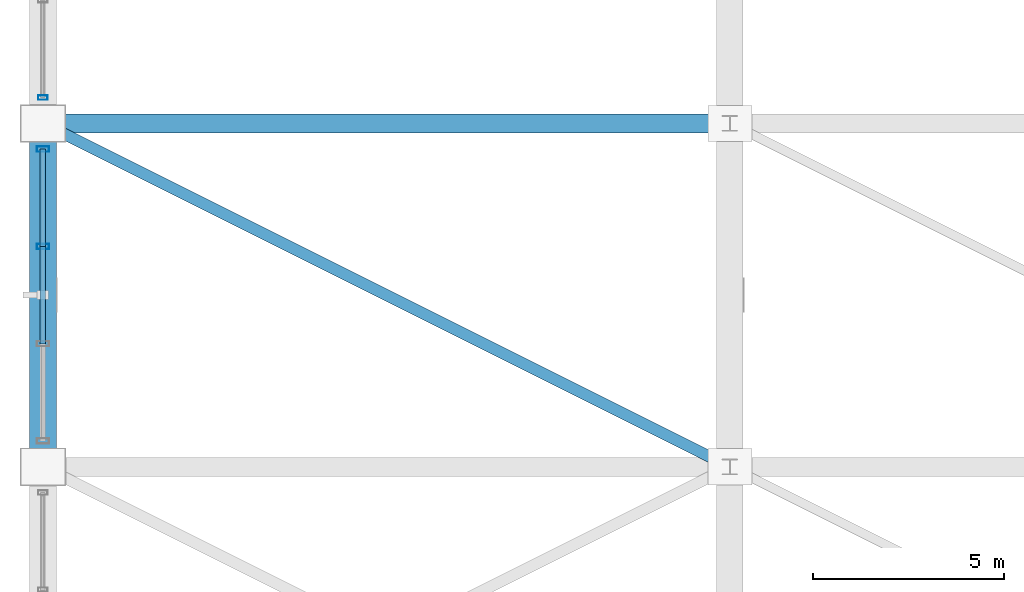
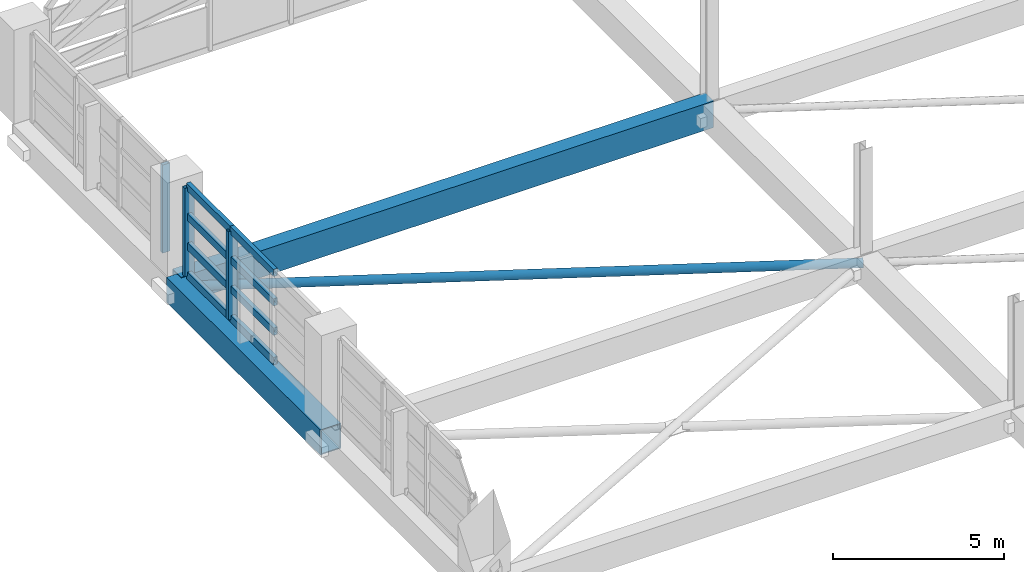
# One storey, part 41 of 116: 12 members, 2 beams, 2 elements without a shape of their own.
"""IFC4 building model written with IfcOpenShell, lengths in metres."""

from ifc_helpers import new_model, si_unit, direction, frame, origin, origin_2d, place, context, subcontext, project, spatial, hollow_rectangle, hollow_circle, extrude, material, material_profile, profile_set, type_object, element, aggregate, save


model = new_model("IFC4")

# Units and contexts
model_context = context("Model", 3, precision=1e-05, world=origin(), true_north=direction((0.0, 1.0)))
body_context = subcontext(model_context, "Body", "Model", "MODEL_VIEW")
ifc_project = project(units=[si_unit("LENGTHUNIT", "METRE"), si_unit("AREAUNIT", "SQUARE_METRE"), si_unit("VOLUMEUNIT", "CUBIC_METRE"), si_unit("PLANEANGLEUNIT", "RADIAN"), si_unit("MASSUNIT", "GRAM", prefix="KILO")], contexts=[model_context])

# Site, building, storey
site_placement = place(None, origin())
site = spatial("IfcSite", under=ifc_project, at=site_placement, CompositionType="ELEMENT")
building_placement = place(site_placement, origin())
building = spatial("IfcBuilding", under=site, at=building_placement, Name="Chuanluo Vaults Station", CompositionType="ELEMENT")
storey_placement = place(building_placement, frame((0.0, 0.0, 10.800048828125)))
storey = spatial("IfcBuildingStorey", under=building, at=storey_placement, Name="L02", CompositionType="ELEMENT", Elevation=10.800048828125)

# Beams
ifc_material_1 = material(Name="Steel Q390C", Category="steel")
ifc_material_profile_1 = material_profile(ifc_material_1, hollow_rectangle(XDim=0.5, YDim=0.949951171875, WallThickness=0.028076171875, at=origin_2d()))
ifc_profile_set_1 = profile_set([ifc_material_profile_1], Name="Steel Q390C")
beam_type_1 = type_object("IfcBeamType", Name="BM-TT-TIE", PredefinedType="USERDEFINED", material=ifc_profile_set_1)
beam_1_placement = place(storey_placement, frame((0.0, 94.5, -0.85009765625), z_axis=(1.0, 0.0, 0.0), x_axis=(0.0, 1.0, 0.0)))
element("IfcBeam", 1, at=beam_1_placement, inside=storey, type_object=beam_type_1, Name="Transfer truss top tie girder 1-94", ObjectType="GIRDER", PredefinedType="USERDEFINED", context=body_context, shape_type="SweptSolid", body=[
    extrude(hollow_rectangle(XDim=0.5, YDim=0.949951171875, WallThickness=0.028076171875, at=origin_2d()), origin(), (0.0, 0.0, 1.0), 18.0),
])
ifc_material_2 = material(Name="Steel Q390C", Category="steel")
ifc_material_profile_2 = material_profile(ifc_material_2, hollow_rectangle(XDim=0.699951171875, YDim=0.89990234375, WallThickness=0.035888671875, at=origin_2d()))
ifc_profile_set_2 = profile_set([ifc_material_profile_2], Name="Steel Q390C")
beam_type_2 = type_object("IfcBeamType", Name="BM-TT-TOP", PredefinedType="USERDEFINED", material=ifc_profile_set_2)
beam_2_placement = place(storey_placement, frame((0.0, 85.5, -0.85009765625), z_axis=(0.0, 1.0, 0.0), x_axis=(-1.0, 0.0, 0.0)))
element("IfcBeam", 2, at=beam_2_placement, inside=storey, type_object=beam_type_2, Name="Transfer truss TT-1 top chord 3", ObjectType="GIRDER", PredefinedType="USERDEFINED", context=body_context, shape_type="SweptSolid", body=[
    extrude(hollow_rectangle(XDim=0.699951171875, YDim=0.89990234375, WallThickness=0.035888671875, at=origin_2d()), origin(), (0.0, 0.0, 1.0), 9.0),
])

# Curtain wall, member
ifc_material_3 = material(Name="Anodised aluminium 6063-T6", Category="aluminium")
curtain_wall_type_1 = type_object("IfcCurtainWallType", Name="CW-SYS-19", PredefinedType="NOTDEFINED", material=ifc_material_3)
curtain_wall_1_placement = place(storey_placement, origin())
curtain_wall_1 = element("IfcCurtainWall", 3, at=curtain_wall_1_placement, inside=storey, type_object=curtain_wall_type_1, Name="Train shed west clerestory CW 94", PredefinedType="NOTDEFINED")
ifc_material_4 = material(Name="Anodised aluminium 6063-T6", Category="aluminium")
ifc_material_profile_3 = material_profile(ifc_material_4, hollow_rectangle(XDim=0.1201171875, YDim=0.25, WallThickness=0.006103515625, at=origin_2d()))
ifc_profile_set_3 = profile_set([ifc_material_profile_3], Name="Anodised aluminium 6063-T6")
member_type_1 = type_object("IfcMemberType", Name="CWM-160", PredefinedType="MULLION", material=ifc_profile_set_3)
member_1_placement = place(storey_placement, frame((0.0, 95.175048828125, 0.0), z_axis=(0.0, 0.0, 1.0), x_axis=(0.0, 1.0, 0.0)))
member_1 = element("IfcMember", 4, at=member_1_placement, type_object=member_type_1, Name="Train shed west clerestory CW 94 mullion 1", PredefinedType="MULLION", context=body_context, shape_type="SweptSolid", body=[
    extrude(hollow_rectangle(XDim=0.1201171875, YDim=0.25, WallThickness=0.006103515625, at=origin_2d()), origin(), (0.0, 0.0, 1.0), 3.14990234375),
])
aggregate(curtain_wall_1, [member_1])

# Curtain wall, members
ifc_material_5 = material(Name="Anodised aluminium 6063-T6", Category="aluminium")
curtain_wall_type_2 = type_object("IfcCurtainWallType", Name="CW-SYS-17", PredefinedType="NOTDEFINED", material=ifc_material_5)
curtain_wall_2_placement = place(storey_placement, origin())
curtain_wall_2 = element("IfcCurtainWall", 5, at=curtain_wall_2_placement, inside=storey, type_object=curtain_wall_type_2, Name="Train shed west clerestory CW 85", PredefinedType="NOTDEFINED")
ifc_material_6 = material(Name="Anodised aluminium 6063-T6", Category="aluminium")
ifc_material_profile_4 = material_profile(ifc_material_6, hollow_rectangle(XDim=0.139892578125, YDim=0.320068359375, WallThickness=0.008056640625, at=origin_2d()))
ifc_profile_set_4 = profile_set([ifc_material_profile_4], Name="Anodised aluminium 6063-T6")
member_type_2 = type_object("IfcMemberType", Name="CWM-220", PredefinedType="MULLION", material=ifc_profile_set_4)
member_2_placement = place(storey_placement, frame((0.0, 91.27490234375, 0.0), z_axis=(0.0, 0.0, 1.0), x_axis=(0.0, 1.0, 0.0)))
member_2 = element("IfcMember", 6, at=member_2_placement, type_object=member_type_2, Name="Train shed west clerestory CW 85 mullion 3", PredefinedType="MULLION", context=body_context, shape_type="SweptSolid", body=[
    extrude(hollow_rectangle(XDim=0.139892578125, YDim=0.320068359375, WallThickness=0.008056640625, at=origin_2d()), origin(), (0.0, 0.0, 1.0), 3.14990234375),
])
member_3_placement = place(storey_placement, frame((0.0, 93.824951171875, 0.0), z_axis=(0.0, 0.0, 1.0), x_axis=(0.0, 1.0, 0.0)))
member_3 = element("IfcMember", 7, at=member_3_placement, type_object=member_type_2, Name="Train shed west clerestory CW 85 mullion 4", PredefinedType="MULLION", context=body_context, shape_type="SweptSolid", body=[
    extrude(hollow_rectangle(XDim=0.139892578125, YDim=0.320068359375, WallThickness=0.008056640625, at=origin_2d()), origin(), (0.0, 0.0, 1.0), 3.14990234375),
])
ifc_material_7 = material(Name="Anodised aluminium 6063-T6", Category="aluminium")
ifc_material_profile_5 = material_profile(ifc_material_7, hollow_rectangle(XDim=0.139892578125, YDim=0.260009765625, WallThickness=0.007080078125, at=origin_2d()))
ifc_profile_set_5 = profile_set([ifc_material_profile_5], Name="Anodised aluminium 6063-T6")
member_type_3 = type_object("IfcMemberType", Name="CWT-180", PredefinedType="USERDEFINED", material=ifc_profile_set_5)
member_4_placement = place(storey_placement, frame((0.0, 88.72509765625, 0.0), z_axis=(0.0, 1.0, 0.0), x_axis=(-1.0, 0.0, 0.0)))
member_4 = element("IfcMember", 8, at=member_4_placement, type_object=member_type_3, Name="Train shed west clerestory CW 85 transom 2.1", ObjectType="TRANSOM", PredefinedType="USERDEFINED", context=body_context, shape_type="SweptSolid", body=[
    extrude(hollow_rectangle(XDim=0.139892578125, YDim=0.260009765625, WallThickness=0.007080078125, at=origin_2d()), origin(), (0.0, 0.0, 1.0), 2.5498046875),
])
member_5_placement = place(storey_placement, frame((0.0, 88.72509765625, 1.050048828125), z_axis=(0.0, 1.0, 0.0), x_axis=(-1.0, 0.0, 0.0)))
member_5 = element("IfcMember", 9, at=member_5_placement, type_object=member_type_3, Name="Train shed west clerestory CW 85 transom 2.2", ObjectType="TRANSOM", PredefinedType="USERDEFINED", context=body_context, shape_type="SweptSolid", body=[
    extrude(hollow_rectangle(XDim=0.139892578125, YDim=0.260009765625, WallThickness=0.007080078125, at=origin_2d()), origin(), (0.0, 0.0, 1.0), 2.5498046875),
])
member_6_placement = place(storey_placement, frame((0.0, 88.72509765625, 2.099853515625), z_axis=(0.0, 1.0, 0.0), x_axis=(-1.0, 0.0, 0.0)))
member_6 = element("IfcMember", 10, at=member_6_placement, type_object=member_type_3, Name="Train shed west clerestory CW 85 transom 2.3", ObjectType="TRANSOM", PredefinedType="USERDEFINED", context=body_context, shape_type="SweptSolid", body=[
    extrude(hollow_rectangle(XDim=0.139892578125, YDim=0.260009765625, WallThickness=0.007080078125, at=origin_2d()), origin(), (0.0, 0.0, 1.0), 2.5498046875),
])
member_7_placement = place(storey_placement, frame((0.0, 88.72509765625, 3.14990234375), z_axis=(0.0, 1.0, 0.0), x_axis=(-1.0, 0.0, 0.0)))
member_7 = element("IfcMember", 11, at=member_7_placement, type_object=member_type_3, Name="Train shed west clerestory CW 85 transom 2.4", ObjectType="TRANSOM", PredefinedType="USERDEFINED", context=body_context, shape_type="SweptSolid", body=[
    extrude(hollow_rectangle(XDim=0.139892578125, YDim=0.260009765625, WallThickness=0.007080078125, at=origin_2d()), origin(), (0.0, 0.0, 1.0), 2.5498046875),
])
member_8_placement = place(storey_placement, frame((0.0, 91.27490234375, 0.0), z_axis=(0.0, 1.0, 0.0), x_axis=(-1.0, 0.0, 0.0)))
member_8 = element("IfcMember", 12, at=member_8_placement, type_object=member_type_3, Name="Train shed west clerestory CW 85 transom 3.1", ObjectType="TRANSOM", PredefinedType="USERDEFINED", context=body_context, shape_type="SweptSolid", body=[
    extrude(hollow_rectangle(XDim=0.139892578125, YDim=0.260009765625, WallThickness=0.007080078125, at=origin_2d()), origin(), (0.0, 0.0, 1.0), 2.550048828125),
])
member_9_placement = place(storey_placement, frame((0.0, 91.27490234375, 1.050048828125), z_axis=(0.0, 1.0, 0.0), x_axis=(-1.0, 0.0, 0.0)))
member_9 = element("IfcMember", 13, at=member_9_placement, type_object=member_type_3, Name="Train shed west clerestory CW 85 transom 3.2", ObjectType="TRANSOM", PredefinedType="USERDEFINED", context=body_context, shape_type="SweptSolid", body=[
    extrude(hollow_rectangle(XDim=0.139892578125, YDim=0.260009765625, WallThickness=0.007080078125, at=origin_2d()), origin(), (0.0, 0.0, 1.0), 2.550048828125),
])
member_10_placement = place(storey_placement, frame((0.0, 91.27490234375, 2.099853515625), z_axis=(0.0, 1.0, 0.0), x_axis=(-1.0, 0.0, 0.0)))
member_10 = element("IfcMember", 14, at=member_10_placement, type_object=member_type_3, Name="Train shed west clerestory CW 85 transom 3.3", ObjectType="TRANSOM", PredefinedType="USERDEFINED", context=body_context, shape_type="SweptSolid", body=[
    extrude(hollow_rectangle(XDim=0.139892578125, YDim=0.260009765625, WallThickness=0.007080078125, at=origin_2d()), origin(), (0.0, 0.0, 1.0), 2.550048828125),
])
member_11_placement = place(storey_placement, frame((0.0, 91.27490234375, 3.14990234375), z_axis=(0.0, 1.0, 0.0), x_axis=(-1.0, 0.0, 0.0)))
member_11 = element("IfcMember", 15, at=member_11_placement, type_object=member_type_3, Name="Train shed west clerestory CW 85 transom 3.4", ObjectType="TRANSOM", PredefinedType="USERDEFINED", context=body_context, shape_type="SweptSolid", body=[
    extrude(hollow_rectangle(XDim=0.139892578125, YDim=0.260009765625, WallThickness=0.007080078125, at=origin_2d()), origin(), (0.0, 0.0, 1.0), 2.550048828125),
])
aggregate(curtain_wall_2, [member_2, member_3, member_4, member_5, member_6, member_7, member_8, member_9, member_10, member_11])

# Member
ifc_material_8 = material(Name="Steel Q355C", Category="steel")
ifc_material_profile_6 = material_profile(ifc_material_8, hollow_circle(Radius=0.1494140625, WallThickness=0.011962890625, at=origin_2d()))
ifc_profile_set_6 = profile_set([ifc_material_profile_6], Name="Steel Q355C")
member_type_4 = type_object("IfcMemberType", Name="MEM-CHS-299", PredefinedType="BRACE", material=ifc_profile_set_6)
member_12_placement = place(storey_placement, frame((0.0, 94.5, -0.85009765625), z_axis=(0.894427191, -0.4472135955, 0.0), x_axis=(0.4472135955, 0.894427191, 0.0)))
element("IfcMember", 16, at=member_12_placement, inside=storey, type_object=member_type_4, Name="Over-track diaphragm brace 1-94", PredefinedType="BRACE", context=body_context, shape_type="SweptSolid", body=[
    extrude(hollow_circle(Radius=0.1494140625, WallThickness=0.011962890625, at=origin_2d()), origin(), (0.0, 0.0, 1.0), 20.12451171875),
])

save(model, "model.ifc")
